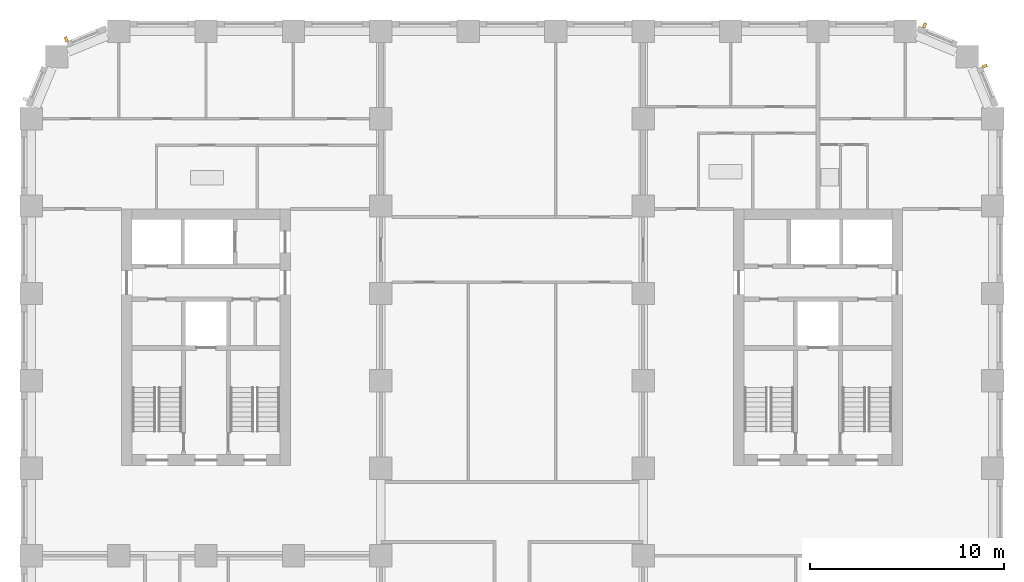
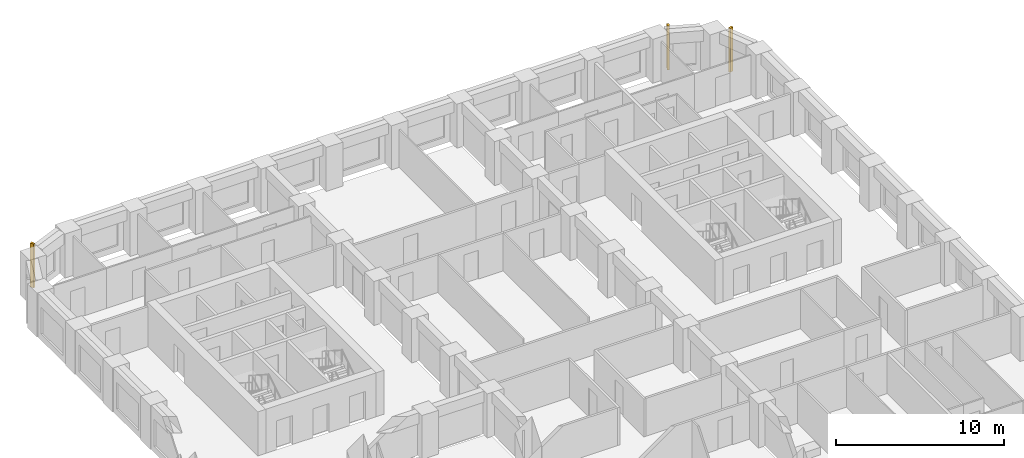
# One storey, part 12 of 13: 3 shading devices.
"""IFC4 building model written with IfcOpenShell, lengths in metres."""

import ifcopenshell
import ifcopenshell.guid

model = None  # the IFC model being written
_history = None  # IfcOwnerHistory: only IFC2X3 demands one
_inside = {}  # id of a spatial element -> (the spatial element, [elements in it])
_under = {}  # id of a project, library or spatial element -> (it, [spatial elements below it])
_declared = {}  # id of a project -> (the project, [libraries it declares])
_typed = {}  # id of a type object -> (the type object, [elements of that type])
_made_of = {}  # id of a material, layer set ... -> (it, [elements and type objects made of it])


def new_model(schema):
    """Start an empty IFC model of exactly this schema.

    Asked for "IFC4X3", IfcOpenShell would pick the latest addendum, in which some entities
    have other attributes; the version numbers below select the first issue.
    IFC2X3 requires an IfcOwnerHistory on every rooted entity: one is made here for all.
    """
    global model, _history
    if schema == "IFC4X3":
        model = ifcopenshell.file(schema_version=(4, 3, 0, 0))
    else:
        model = ifcopenshell.file(schema=schema)
    _inside.clear()
    _under.clear()
    _declared.clear()
    _typed.clear()
    _made_of.clear()
    _history = None
    if model.schema == "IFC2X3":
        org = make("IfcOrganization", Name="unknown")
        user = make(
            "IfcPersonAndOrganization",
            ThePerson=make("IfcPerson", FamilyName="unknown"),
            TheOrganization=org,
        )
        app = make(
            "IfcApplication",
            ApplicationDeveloper=org,
            Version="unknown",
            ApplicationFullName="unknown",
            ApplicationIdentifier="unknown",
        )
        _history = make(
            "IfcOwnerHistory",
            OwningUser=user,
            OwningApplication=app,
            ChangeAction="ADDED",
            CreationDate=0,
        )
    return model


def make(cls, **values):
    """One entity of the class cls with the attributes given. An attribute that is None is left unset."""
    return model.create_entity(
        cls, **{name: value for name, value in values.items() if value is not None}
    )


def rooted(cls, **values):
    """An entity with a GlobalId (a new one), such as an element, a storey or a relation."""
    return make(cls, GlobalId=ifcopenshell.guid.new(), OwnerHistory=_history, **values)


def si_unit(unit_type, name, prefix=None):
    """IfcSIUnit, for example si_unit("LENGTHUNIT", "METRE", prefix="MILLI")."""
    return make("IfcSIUnit", UnitType=unit_type, Prefix=prefix, Name=name)


def assignment(units):
    """IfcUnitAssignment: the units of a project."""
    return None if units is None else make("IfcUnitAssignment", Units=units)


def point(xyz):
    """IfcCartesianPoint."""
    return None if xyz is None else make("IfcCartesianPoint", Coordinates=xyz)


def direction(xyz):
    """IfcDirection."""
    return None if xyz is None else make("IfcDirection", DirectionRatios=xyz)


def frame(location, z_axis=None, x_axis=None):
    """IfcAxis2Placement3D, a coordinate frame: its origin and axes. An axis left out is left unset."""
    return make(
        "IfcAxis2Placement3D",
        Location=point(location),
        Axis=direction(z_axis),
        RefDirection=direction(x_axis),
    )


def frame_2d(location, x_axis=None):
    """IfcAxis2Placement2D, a coordinate frame in the plane: its origin and x axis."""
    return make(
        "IfcAxis2Placement2D", Location=point(location), RefDirection=direction(x_axis)
    )


def origin():
    """The frame at (0, 0, 0) with its axes left unset."""
    return frame((0.0, 0.0, 0.0))


def origin_2d():
    """The frame at (0, 0) in the plane with its x axis left unset."""
    return frame_2d((0.0, 0.0))


def place(relative_to, where):
    """IfcLocalPlacement: puts the frame where relative to a parent placement (None: the world)."""
    return make(
        "IfcLocalPlacement", PlacementRelTo=relative_to, RelativePlacement=where
    )


def context(
    kind, dimensions, precision=None, world=None, true_north=None, identifier=None
):
    """IfcGeometricRepresentationContext, for example the 3D "Model" context."""
    return make(
        "IfcGeometricRepresentationContext",
        ContextIdentifier=identifier,
        ContextType=kind,
        CoordinateSpaceDimension=dimensions,
        Precision=precision,
        WorldCoordinateSystem=world,
        TrueNorth=true_north,
    )


def subcontext(parent, identifier, kind, view, scale=None):
    """IfcGeometricRepresentationSubContext, for example "Body" below "Model"."""
    return make(
        "IfcGeometricRepresentationSubContext",
        ContextIdentifier=identifier,
        ContextType=kind,
        ParentContext=parent,
        TargetScale=scale,
        TargetView=view,
    )


def project(units=None, contexts=None):
    """IfcProject with its units and contexts."""
    return rooted(
        "IfcProject",
        Name="project",
        RepresentationContexts=contexts,
        UnitsInContext=assignment(units),
    )


def spatial(cls, under=None, at=None, **own):
    """A site, building, storey or space (cls), placed at a placement, below another one or the project."""
    s = rooted(cls, ObjectPlacement=at, **own)
    if under is not None:
        _under.setdefault(under.id(), (under, []))[1].append(s)
    return s


def profile(cls, at=None, kind="AREA", **sizes):
    """A parametric profile (cls). Its sizes go by their IFC names, for example OverallWidth=200.0."""
    return make(cls, ProfileType=kind, Position=at, **sizes)


def rectangle(**sizes):
    """IfcRectangleProfileDef."""
    return profile("IfcRectangleProfileDef", **sizes)


def extrude(swept, where, along, depth):
    """IfcExtrudedAreaSolid: the profile swept, set in the frame where, extruded along a direction by depth."""
    return make(
        "IfcExtrudedAreaSolid",
        SweptArea=swept,
        Position=where,
        ExtrudedDirection=direction(along),
        Depth=depth,
    )


def shape(context_of_items, identifier, shape_type, items):
    """IfcShapeRepresentation: the items that make up one representation, for example the "Body"."""
    return make(
        "IfcShapeRepresentation",
        ContextOfItems=context_of_items,
        RepresentationIdentifier=identifier,
        RepresentationType=shape_type,
        Items=items,
    )


def material(Name=None, Category=None):
    """IfcMaterial."""
    return make("IfcMaterial", Name=Name, Category=Category)


def made_of(thing, what):
    """Note that an element or type object is made of a material, layer set ...; save() writes the relation."""
    if what is not None:
        _made_of.setdefault(what.id(), (what, []))[1].append(thing)
    return thing


def type_object(cls, material=None, **own):
    """A type object (cls), such as IfcWallType, which elements share."""
    return made_of(rooted(cls, **own), material)


def element(
    cls,
    number,
    at=None,
    inside=None,
    cuts=None,
    type_object=None,
    material=None,
    context=None,
    identifier="Body",
    shape_type=None,
    held_by="IfcProductDefinitionShape",
    body=None,
    shapes=None,
    **own,
):
    """One element of the class cls, such as IfcWall. Its Tag is "e" and its number.

    at: its placement. inside: the storey or other place that contains it. cuts: it is an
    opening in that element (IfcRelVoidsElement). A single representation is given by context,
    identifier, shape_type and body (its items); several are given by shapes. held_by: the class
    of the entity that holds the representations. save() writes the other relations.
    """
    e = rooted(cls, Tag="e%d" % number, ObjectPlacement=at, **own)
    if body is not None:
        shapes = [shape(context, identifier, shape_type, body)]
    if shapes is not None:
        e.Representation = make(held_by, Representations=shapes)
    if inside is not None:
        _inside.setdefault(inside.id(), (inside, []))[1].append(e)
    if cuts is not None:
        rooted(
            "IfcRelVoidsElement", RelatingBuildingElement=cuts, RelatedOpeningElement=e
        )
    if type_object is not None:
        _typed.setdefault(type_object.id(), (type_object, []))[1].append(e)
    return made_of(e, material)


def aggregate(whole, parts):
    """IfcRelAggregates: a whole, such as a stair, and the parts it consists of."""
    return rooted("IfcRelAggregates", RelatingObject=whole, RelatedObjects=parts)


def save(model, path):
    """Write the relations noted so far, then the file.

    IfcRelAggregates (storeys below a building ...), IfcRelContainedInSpatialStructure (elements
    in a storey), IfcRelDefinesByType, IfcRelAssociatesMaterial and IfcRelDeclares: one each for
    every whole, place, type object, material and project.
    """
    for whole, parts in _under.values():
        aggregate(whole, parts)
    for where, things in _inside.values():
        rooted(
            "IfcRelContainedInSpatialStructure",
            RelatedElements=things,
            RelatingStructure=where,
        )
    for kind, things in _typed.values():
        rooted("IfcRelDefinesByType", RelatedObjects=things, RelatingType=kind)
    for what, things in _made_of.values():
        rooted("IfcRelAssociatesMaterial", RelatedObjects=things, RelatingMaterial=what)
    for by, libraries in _declared.values():
        rooted("IfcRelDeclares", RelatingContext=by, RelatedDefinitions=libraries)
    model.write(path)


model = new_model("IFC4")

# Units and contexts
model_context = context("Model", 3, precision=1e-05, world=origin(), true_north=direction((0.0, 1.0)))
body_context = subcontext(model_context, "Body", "Model", "MODEL_VIEW")
ifc_project = project(units=[si_unit("LENGTHUNIT", "METRE"), si_unit("AREAUNIT", "SQUARE_METRE"), si_unit("VOLUMEUNIT", "CUBIC_METRE"), si_unit("PLANEANGLEUNIT", "RADIAN"), si_unit("MASSUNIT", "GRAM", prefix="KILO")], contexts=[model_context])

# Site, building, storey
site_placement = place(None, origin())
site = spatial("IfcSite", under=ifc_project, at=site_placement, CompositionType="ELEMENT")
building_placement = place(site_placement, origin())
building = spatial("IfcBuilding", under=site, at=building_placement, Name="Girih Gate Residences", CompositionType="ELEMENT")
storey_placement = place(building_placement, frame((0.0, 0.0, 102.39990234375)))
storey = spatial("IfcBuildingStorey", under=building, at=storey_placement, Name="L28", CompositionType="ELEMENT", Elevation=102.39990234375)

# Shading devices
ifc_material = material(Name="Precast concrete C50/60", Category="concrete")
shading_device_type = type_object("IfcShadingDeviceType", Name="Corner rib 150x250", PredefinedType="USERDEFINED", material=ifc_material)
for number, where, z_axis, x_axis, name in (
    (1, (49.087646484375, 47.6943359375, 0.0), (0.0, 0.0, 1.0), (-0.382683432365, 0.923879532511, 0.0), "Corner rib NE0495_0450.0"),
    (2, (45.985107421875, 49.79541015625, 0.0), (0.0, 0.0, 1.0), (-0.923879532511, 0.382683432365, 0.0), "Corner rib NE0482_0482.0"),
    (3, (1.8056640625, 49.087646484375, 0.0), (0.0, 0.0, 1.0), (-0.923879532511, -0.382683432365, 0.0), "Corner rib NW0045_0495.0"),
):
    element("IfcShadingDevice", number, at=place(storey_placement, frame(where, z_axis=z_axis, x_axis=x_axis)), inside=storey, type_object=shading_device_type, Name=name, ObjectType="FIN", PredefinedType="USERDEFINED", context=body_context, shape_type="SweptSolid", body=[
        extrude(rectangle(XDim=0.14990234375, YDim=0.25, at=origin_2d()), origin(), (0.0, 0.0, 1.0), 3.199951171875),
    ])

save(model, "model.ifc")
